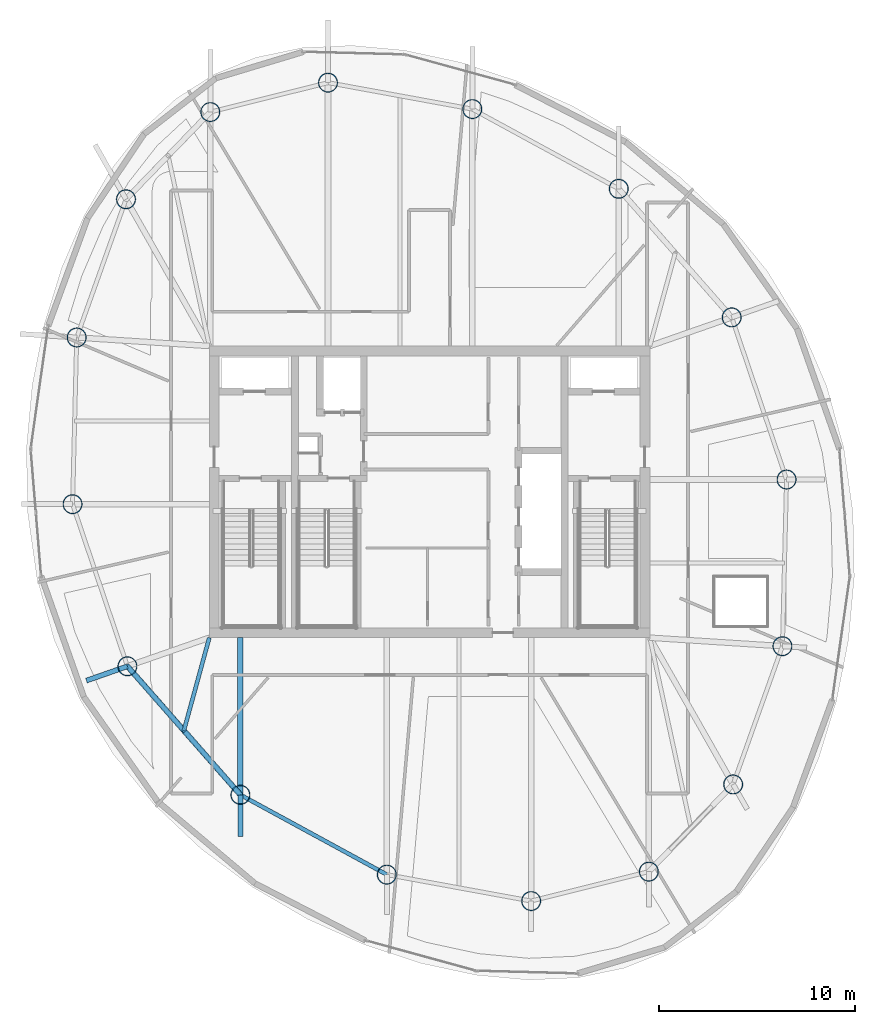
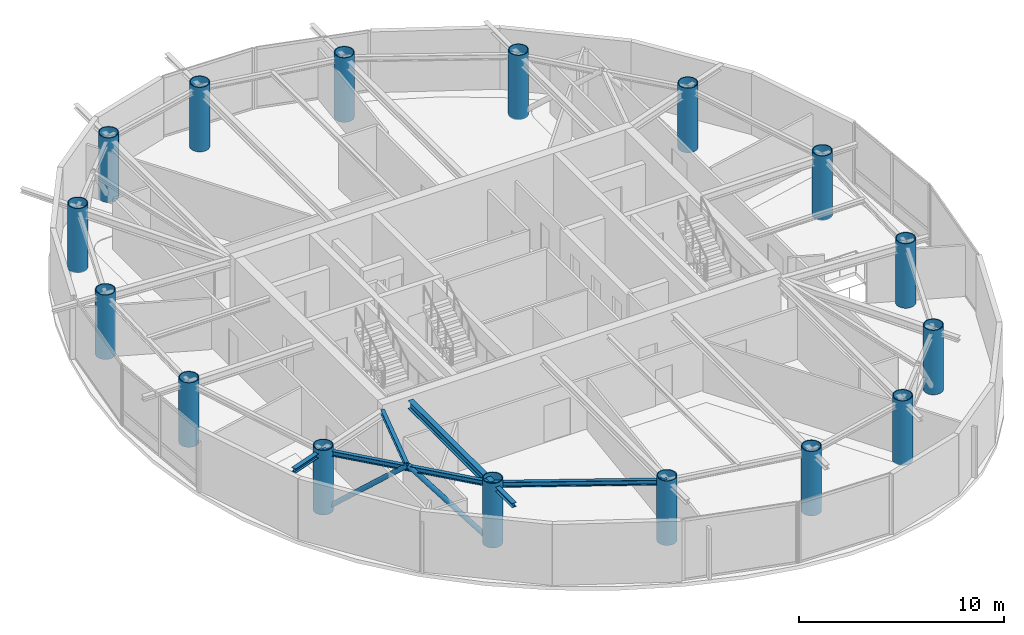
# One storey, part 1 of 20: 16 columns, 6 beams, 2 members.
"""IFC4 building model written with IfcOpenShell, lengths in metres."""

from ifc_helpers import new_model, si_unit, direction, frame, origin, origin_2d, place, context, subcontext, project, spatial, hollow_circle, i_section, extrude, material, material_profile, profile_set, type_object, element, save


model = new_model("IFC4")

# Units and contexts
model_context = context("Model", 3, precision=1e-05, world=origin(), true_north=direction((0.0, 1.0)))
body_context = subcontext(model_context, "Body", "Model", "MODEL_VIEW")
ifc_project = project(units=[si_unit("LENGTHUNIT", "METRE"), si_unit("AREAUNIT", "SQUARE_METRE"), si_unit("VOLUMEUNIT", "CUBIC_METRE"), si_unit("PLANEANGLEUNIT", "RADIAN"), si_unit("MASSUNIT", "GRAM", prefix="KILO")], contexts=[model_context])

# Site, building, storey
site_placement = place(None, origin())
site = spatial("IfcSite", under=ifc_project, at=site_placement, CompositionType="ELEMENT")
building_placement = place(site_placement, origin())
building = spatial("IfcBuilding", under=site, at=building_placement, Name="Bramvorn Convention Spire", CompositionType="ELEMENT")
storey_placement = place(building_placement, frame((0.0, 0.0, 284.39990234375)))
storey = spatial("IfcBuildingStorey", under=building, at=storey_placement, Name="L72", CompositionType="ELEMENT", Elevation=284.39990234375)

# Columns
ifc_material = material(Name="Steel CSA G40.21 Grade 350 (350W)", Category="steel")
ifc_material_profile_1 = material_profile(ifc_material, hollow_circle(Radius=0.5, WallThickness=0.044921875, at=origin_2d()))
ifc_profile_set_1 = profile_set([ifc_material_profile_1], Name="Steel CSA G40.21 Grade 350 (350W) - CFT1000X45")
column_type = type_object("IfcColumnType", Name="COL-CFT1000X45", PredefinedType="COLUMN", material=ifc_profile_set_1)
for number, where, z_axis, x_axis, name in (
    (1, (49.199951171875, 6.60107421875, 0.0), (0.0, 0.0, 1.0), (1.0, 0.0, 0.0), "L72 composite CFT mega-column MC01"),
    (2, (53.50634765625, 11.05615234375, 0.0), (0.0, 0.0, 1.0), (1.0, 0.0, 0.0), "L72 composite CFT mega-column MC02"),
    (3, (56.023681640625, 18.116455078125, 0.0), (0.0, 0.0, 1.0), (1.0, 0.0, 0.0), "L72 composite CFT mega-column MC03"),
    (4, (56.234619140625, 26.62939453125, 0.0), (0.0, 0.0, 1.0), (1.0, 0.0, 0.0), "L72 composite CFT mega-column MC04"),
    (5, (53.4326171875, 34.909912109375, 0.0), (0.0, 0.0, 1.0), (1.0, 0.0, 0.0), "L72 composite CFT mega-column MC05"),
    (6, (47.662353515625, 41.476806640625, 0.0), (0.0, 0.0, 1.0), (1.0, 0.0, 0.0), "L72 composite CFT mega-column MC06"),
    (7, (40.1845703125, 45.55078125, 0.0), (0.0, 0.0, 1.0), (1.0, 0.0, 0.0), "L72 composite CFT mega-column MC07"),
    (8, (32.8115234375, 46.90087890625, 0.0), (0.0, 0.0, 1.0), (1.0, 0.0, 0.0), "L72 composite CFT mega-column MC08"),
    (9, (26.800048828125, 45.39892578125, 0.0), (0.0, 0.0, 1.0), (1.0, 0.0, 0.0), "L72 composite CFT mega-column MC09"),
    (10, (22.49365234375, 40.94384765625, 0.0), (0.0, 0.0, 1.0), (1.0, 0.0, 0.0), "L72 composite CFT mega-column MC10"),
    (11, (19.976318359375, 33.883544921875, 0.0), (0.0, 0.0, 1.0), (1.0, 0.0, 0.0), "L72 composite CFT mega-column MC11"),
    (12, (19.765380859375, 25.37060546875, 0.0), (0.0, 0.0, 1.0), (1.0, 0.0, 0.0), "L72 composite CFT mega-column MC12"),
    (13, (22.5673828125, 17.090087890625, 0.0), (0.0, 0.0, 1.0), (1.0, 0.0, 0.0), "L72 composite CFT mega-column MC13"),
    (14, (28.337646484375, 10.523193359375, 0.0), (0.0, 0.0, 1.0), (1.0, 0.0, 0.0), "L72 composite CFT mega-column MC14"),
    (15, (35.8154296875, 6.44921875, 0.0), (0.0, 0.0, 1.0), (1.0, 0.0, 0.0), "L72 composite CFT mega-column MC15"),
    (16, (43.1884765625, 5.09912109375, 0.0), (0.0, 0.0, 1.0), (1.0, 0.0, 0.0), "L72 composite CFT mega-column MC16"),
):
    element("IfcColumn", number, at=place(storey_placement, frame(where, z_axis=z_axis, x_axis=x_axis)), inside=storey, type_object=column_type, Name=name, PredefinedType="COLUMN", context=body_context, shape_type="SweptSolid", body=[
        extrude(hollow_circle(Radius=0.5, WallThickness=0.044921875, at=origin_2d()), origin(), (0.0, 0.0, 1.0), 3.85009765625),
    ])

# Beams
ifc_material_profile_2 = material_profile(ifc_material, i_section(OverallWidth=0.201904296875, OverallDepth=0.2470703125, WebThickness=0.00732421875, FlangeThickness=0.010986328125, FilletRadius=0.011962890625, at=origin_2d()))
ifc_profile_set_2 = profile_set([ifc_material_profile_2], Name="Steel CSA G40.21 Grade 350 (350W) - W250X49")
beam_type_1 = type_object("IfcBeamType", Name="BM-W250X49", PredefinedType="JOIST", material=ifc_profile_set_2)
beam_1_placement = place(storey_placement, frame((26.75, 18.550048828125, 3.501708984375), z_axis=(-0.26386506219, -0.96455960363, 0.0), x_axis=(0.96455960363, -0.26386506219, 0.0)))
element("IfcBeam", 17, at=beam_1_placement, inside=storey, type_object=beam_type_1, Name="L72 composite floor joist 13", PredefinedType="JOIST", context=body_context, shape_type="SweptSolid", body=[
    extrude(i_section(OverallWidth=0.201904296875, OverallDepth=0.2470703125, WebThickness=0.00732421875, FlangeThickness=0.010986328125, FilletRadius=0.011962890625, at=origin_2d()), origin(), (0.0, 0.0, 1.0), 4.917724609375),
])
ifc_material_profile_3 = material_profile(ifc_material, i_section(OverallWidth=0.25390625, OverallDepth=0.2529296875, WebThickness=0.008544921875, FlangeThickness=0.01416015625, FilletRadius=0.011962890625, at=origin_2d()))
ifc_profile_set_3 = profile_set([ifc_material_profile_3], Name="Steel CSA G40.21 Grade 350 (350W) - W250X73")
beam_type_2 = type_object("IfcBeamType", Name="BM-W250X73", PredefinedType="BEAM", material=ifc_profile_set_3)
beam_2_placement = place(storey_placement, frame((22.5673828125, 17.090087890625, 3.49853515625), z_axis=(-0.944120561167, -0.329600312472, 0.0), x_axis=(0.329600312472, -0.944120561167, 0.0)))
element("IfcBeam", 18, at=beam_2_placement, inside=storey, type_object=beam_type_2, Name="L72 slab-edge cantilever tip beam MC13", PredefinedType="BEAM", context=body_context, shape_type="SweptSolid", body=[
    extrude(i_section(OverallWidth=0.25390625, OverallDepth=0.2529296875, WebThickness=0.008544921875, FlangeThickness=0.01416015625, FilletRadius=0.011962890625, at=origin_2d()), origin(), (0.0, 0.0, 1.0), 2.218505859375),
])
beam_3_placement = place(storey_placement, frame((28.337646484375, 10.523193359375, 3.49853515625), z_axis=(0.0, -1.0, 0.0), x_axis=(1.0, 0.0, 0.0)))
element("IfcBeam", 19, at=beam_3_placement, inside=storey, type_object=beam_type_2, Name="L72 slab-edge cantilever tip beam MC14", PredefinedType="BEAM", context=body_context, shape_type="SweptSolid", body=[
    extrude(i_section(OverallWidth=0.25390625, OverallDepth=0.2529296875, WebThickness=0.008544921875, FlangeThickness=0.01416015625, FilletRadius=0.011962890625, at=origin_2d()), origin(), (0.0, 0.0, 1.0), 2.117431640625),
])
ifc_material_profile_4 = material_profile(ifc_material, i_section(OverallWidth=0.202880859375, OverallDepth=0.302978515625, WebThickness=0.007568359375, FlangeThickness=0.01318359375, FilletRadius=0.013916015625, at=origin_2d()))
ifc_profile_set_4 = profile_set([ifc_material_profile_4], Name="Steel CSA G40.21 Grade 350 (350W) - W310X60")
beam_type_3 = type_object("IfcBeamType", Name="BM-W310X60", PredefinedType="JOIST", material=ifc_profile_set_4)
beam_4_placement = place(storey_placement, frame((22.5673828125, 17.090087890625, 3.4736328125), z_axis=(0.660073062339, -0.751201405999, 0.0), x_axis=(0.751201405999, 0.660073062339, 0.0)))
element("IfcBeam", 20, at=beam_4_placement, inside=storey, type_object=beam_type_3, Name="L72 mega-column ring beam 13", PredefinedType="JOIST", context=body_context, shape_type="SweptSolid", body=[
    extrude(i_section(OverallWidth=0.202880859375, OverallDepth=0.302978515625, WebThickness=0.007568359375, FlangeThickness=0.01318359375, FilletRadius=0.013916015625, at=origin_2d()), origin(), (0.0, 0.0, 1.0), 8.741943359375),
])
beam_5_placement = place(storey_placement, frame((28.337646484375, 10.523193359375, 3.4736328125), z_axis=(0.878133224771, -0.478416178189, 0.0), x_axis=(0.478416178189, 0.878133224771, 0.0)))
element("IfcBeam", 21, at=beam_5_placement, inside=storey, type_object=beam_type_3, Name="L72 mega-column ring beam 14", PredefinedType="JOIST", context=body_context, shape_type="SweptSolid", body=[
    extrude(i_section(OverallWidth=0.202880859375, OverallDepth=0.302978515625, WebThickness=0.007568359375, FlangeThickness=0.01318359375, FilletRadius=0.013916015625, at=origin_2d()), origin(), (0.0, 0.0, 1.0), 8.515625),
])
ifc_material_profile_5 = material_profile(ifc_material, i_section(OverallWidth=0.283935546875, OverallDepth=0.47607421875, WebThickness=0.014892578125, FlangeThickness=0.02392578125, FilletRadius=0.01806640625, at=origin_2d()))
ifc_profile_set_5 = profile_set([ifc_material_profile_5], Name="Steel CSA G40.21 Grade 350 (350W) - W460X158")
beam_type_4 = type_object("IfcBeamType", Name="BM-W460X158", PredefinedType="SPANDREL", material=ifc_profile_set_5)
beam_6_placement = place(storey_placement, frame((28.337646484375, 18.550048828125, 3.38720703125), z_axis=(0.0, -1.0, 0.0), x_axis=(1.0, 0.0, 0.0)))
element("IfcBeam", 22, at=beam_6_placement, inside=storey, type_object=beam_type_4, Name="L72 radial floor girder MC14", PredefinedType="SPANDREL", context=body_context, shape_type="SweptSolid", body=[
    extrude(i_section(OverallWidth=0.283935546875, OverallDepth=0.47607421875, WebThickness=0.014892578125, FlangeThickness=0.02392578125, FilletRadius=0.01806640625, at=origin_2d()), origin(), (0.0, 0.0, 1.0), 8.02685546875),
])

# Members
ifc_material_profile_6 = material_profile(ifc_material, hollow_circle(Radius=0.136474609375, WallThickness=0.0126953125, at=origin_2d()))
ifc_profile_set_6 = profile_set([ifc_material_profile_6], Name="Steel CSA G40.21 Grade 350 (350W) - CHS273X13")
member_type = type_object("IfcMemberType", Name="MBR-CHS273X13", PredefinedType="BRACE", material=ifc_profile_set_6)
for number, where, z_axis, x_axis, name in (
    (23, (22.5673828125, 17.090087890625, 0.0), (0.508061812102, -0.578228256829, 0.63837706576), (0.751215254017, 0.660057302158, 0.0), "L72 perimeter Gothic lancet brace 13A"),
    (24, (28.337646484375, 10.523193359375, 0.0), (-0.50809370726, 0.578215626074, 0.63836312112), (-0.751187558161, -0.660088821648, 0.0), "L72 perimeter Gothic lancet brace 13B"),
):
    element("IfcMember", number, at=place(storey_placement, frame(where, z_axis=z_axis, x_axis=x_axis)), inside=storey, type_object=member_type, Name=name, PredefinedType="BRACE", context=body_context, shape_type="SweptSolid", body=[
        extrude(hollow_circle(Radius=0.136474609375, WallThickness=0.0126953125, at=origin_2d()), origin(), (0.0, 0.0, 1.0), 5.678466796875),
    ])

save(model, "model.ifc")
